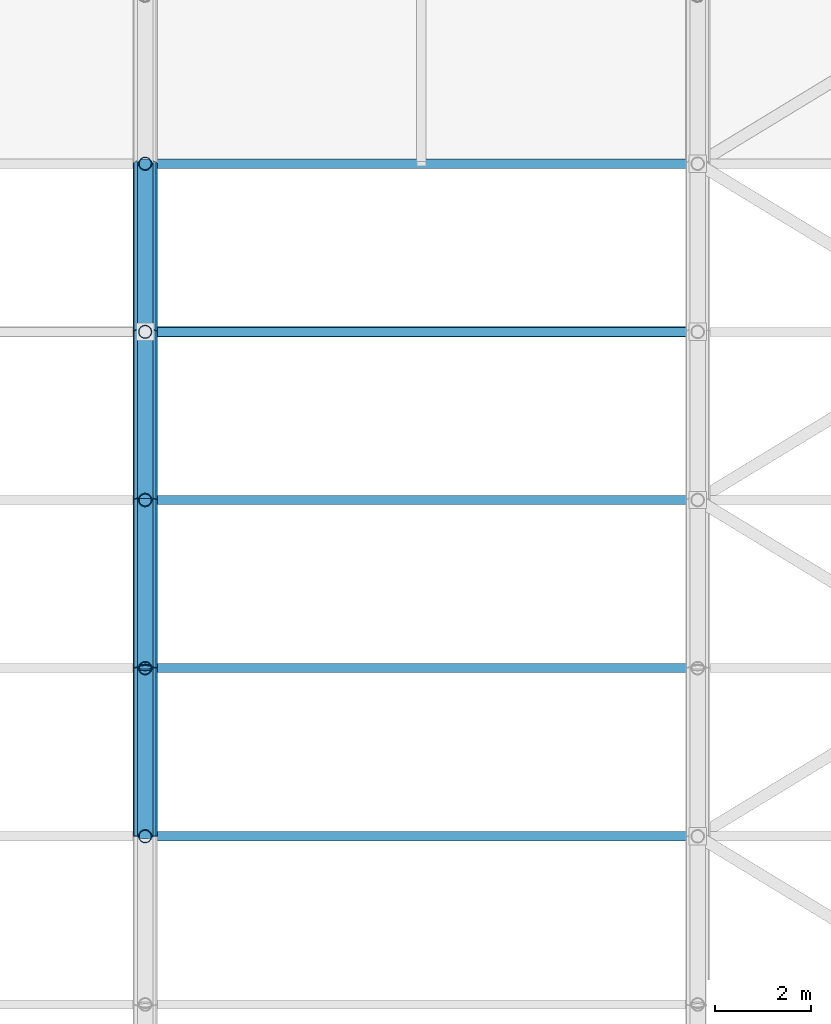
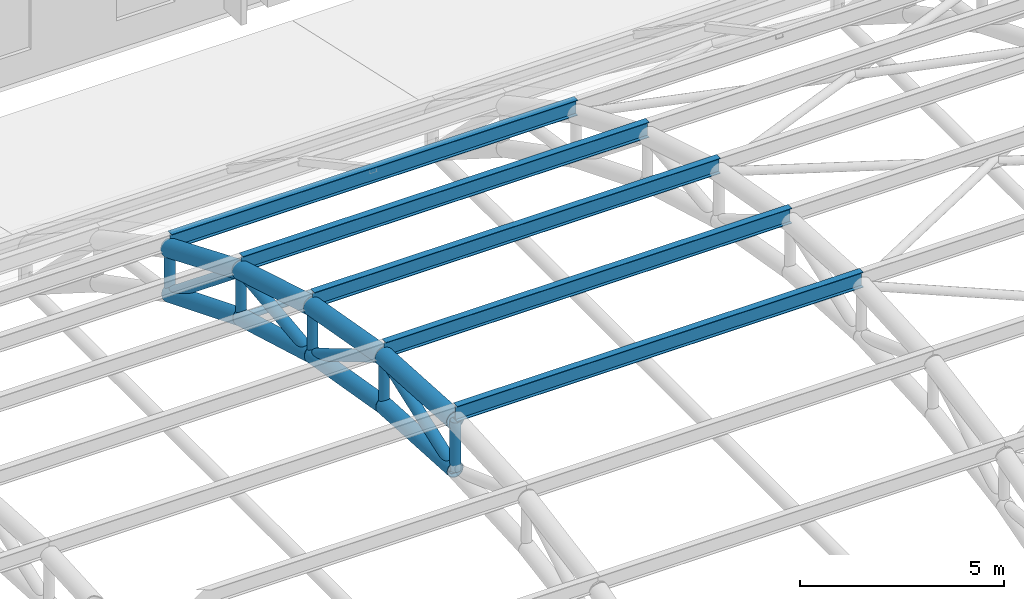
# One storey, part 102 of 154: 23 members.
"""IFC4 building model written with IfcOpenShell, lengths in metres."""

from ifc_helpers import new_model, si_unit, direction, frame, origin, origin_2d, place, context, subcontext, project, spatial, hollow_circle, i_section, extrude, material, material_profile, profile_set, type_object, element, save


model = new_model("IFC4")

# Units and contexts
model_context = context("Model", 3, precision=1e-05, world=origin(), true_north=direction((0.0, 1.0)))
body_context = subcontext(model_context, "Body", "Model", "MODEL_VIEW")
ifc_project = project(units=[si_unit("LENGTHUNIT", "METRE"), si_unit("AREAUNIT", "SQUARE_METRE"), si_unit("VOLUMEUNIT", "CUBIC_METRE"), si_unit("PLANEANGLEUNIT", "RADIAN"), si_unit("MASSUNIT", "GRAM", prefix="KILO")], contexts=[model_context])

# Site, building, storey
site_placement = place(None, origin())
site = spatial("IfcSite", under=ifc_project, at=site_placement, CompositionType="ELEMENT")
building_placement = place(site_placement, origin())
building = spatial("IfcBuilding", under=site, at=building_placement, Name="Ologun Quay Terminus", CompositionType="ELEMENT")
storey_placement = place(building_placement, frame((0.0, 0.0, 13.800048828125)))
storey = spatial("IfcBuildingStorey", under=building, at=storey_placement, Name="L03", CompositionType="ELEMENT", Elevation=13.800048828125)

# Members
ifc_material_1 = material(Name="Steel S355", Category="steel")
ifc_material_profile_1 = material_profile(ifc_material_1, hollow_circle(Radius=0.136474609375, WallThickness=0.010009765625, at=origin_2d()), Name="CHS 273x10")
ifc_profile_set_1 = profile_set([ifc_material_profile_1], Name="Steel S355")
member_type_1 = type_object("IfcMemberType", Name="Arch Truss Vertical Post CHS273", PredefinedType="STRUT", material=ifc_profile_set_1)
member_1_placement = place(storey_placement, frame((149.5, 57.0, 7.239990234375), z_axis=(0.0, 0.0, 1.0), x_axis=(1.0, 0.0, 0.0)))
element("IfcMember", 1, at=member_1_placement, inside=storey, type_object=member_type_1, Name="AW2 Arch Web Post 14-N6", PredefinedType="STRUT", context=body_context, shape_type="SweptSolid", body=[
    extrude(hollow_circle(Radius=0.136474609375, WallThickness=0.010009765625, at=origin_2d()), origin(), (0.0, 0.0, 1.0), 1.47998046875),
])
member_2_placement = place(storey_placement, frame((149.5, 60.5, 7.038818359375), z_axis=(0.0, 0.0, 1.0), x_axis=(1.0, 0.0, 0.0)))
element("IfcMember", 2, at=member_2_placement, inside=storey, type_object=member_type_1, Name="AW2 Arch Web Post 14-N7", PredefinedType="STRUT", context=body_context, shape_type="SweptSolid", body=[
    extrude(hollow_circle(Radius=0.136474609375, WallThickness=0.010009765625, at=origin_2d()), origin(), (0.0, 0.0, 1.0), 1.47216796875),
])
member_3_placement = place(storey_placement, frame((149.5, 64.0, 6.435546875), z_axis=(0.0, 0.0, 1.0), x_axis=(1.0, 0.0, 0.0)))
element("IfcMember", 3, at=member_3_placement, inside=storey, type_object=member_type_1, Name="AW2 Arch Web Post 14-N8", PredefinedType="STRUT", context=body_context, shape_type="SweptSolid", body=[
    extrude(hollow_circle(Radius=0.136474609375, WallThickness=0.010009765625, at=origin_2d()), origin(), (0.0, 0.0, 1.0), 1.44873046875),
])
member_4_placement = place(storey_placement, frame((149.5, 67.5, 5.429931640625), z_axis=(0.0, 0.0, 1.0), x_axis=(1.0, 0.0, 0.0)))
element("IfcMember", 4, at=member_4_placement, inside=storey, type_object=member_type_1, Name="AW2 Arch Web Post 14-N9", PredefinedType="STRUT", context=body_context, shape_type="SweptSolid", body=[
    extrude(hollow_circle(Radius=0.136474609375, WallThickness=0.010009765625, at=origin_2d()), origin(), (0.0, 0.0, 1.0), 1.409912109375),
])
member_5_placement = place(storey_placement, frame((149.5, 71.0, 4.022216796875), z_axis=(0.0, 0.0, 1.0), x_axis=(1.0, 0.0, 0.0)))
element("IfcMember", 5, at=member_5_placement, inside=storey, type_object=member_type_1, Name="AW2 Arch Web Post 14-N10", PredefinedType="STRUT", context=body_context, shape_type="SweptSolid", body=[
    extrude(hollow_circle(Radius=0.136474609375, WallThickness=0.010009765625, at=origin_2d()), origin(), (0.0, 0.0, 1.0), 1.35546875),
])
ifc_material_2 = material(Name="Steel S355", Category="steel")
ifc_material_profile_2 = material_profile(ifc_material_2, hollow_circle(Radius=0.161865234375, WallThickness=0.010009765625, at=origin_2d()), Name="CHS 323.9x10")
ifc_profile_set_2 = profile_set([ifc_material_profile_2], Name="Steel S355")
member_type_2 = type_object("IfcMemberType", Name="Arch Truss Web Diagonal CHS323", PredefinedType="BRACE", material=ifc_profile_set_2)
member_6_placement = place(storey_placement, frame((149.5, 57.0, 7.239990234375), z_axis=(0.0, 0.939942650142, 0.34133241048), x_axis=(-1.0, 0.0, 0.0)))
element("IfcMember", 6, at=member_6_placement, inside=storey, type_object=member_type_2, Name="AW1 Arch Web Diagonal 14-P7", PredefinedType="BRACE", context=body_context, shape_type="SweptSolid", body=[
    extrude(hollow_circle(Radius=0.161865234375, WallThickness=0.010009765625, at=origin_2d()), origin(), (0.0, 0.0, 1.0), 3.7236328125),
])
member_7_placement = place(storey_placement, frame((149.5, 60.5, 8.510986328125), z_axis=(0.0, 0.860144332958, -0.510050709715), x_axis=(-1.0, 0.0, 0.0)))
element("IfcMember", 7, at=member_7_placement, inside=storey, type_object=member_type_2, Name="AW1 Arch Web Diagonal 14-P8", PredefinedType="BRACE", context=body_context, shape_type="SweptSolid", body=[
    extrude(hollow_circle(Radius=0.161865234375, WallThickness=0.010009765625, at=origin_2d()), origin(), (0.0, 0.0, 1.0), 4.069091796875),
])
member_8_placement = place(storey_placement, frame((149.5, 64.0, 6.435546875), z_axis=(0.0, 0.993394361, 0.114750353084), x_axis=(-1.0, 0.0, 0.0)))
element("IfcMember", 8, at=member_8_placement, inside=storey, type_object=member_type_2, Name="AW1 Arch Web Diagonal 14-P9", PredefinedType="BRACE", context=body_context, shape_type="SweptSolid", body=[
    extrude(hollow_circle(Radius=0.161865234375, WallThickness=0.010009765625, at=origin_2d()), origin(), (0.0, 0.0, 1.0), 3.523193359375),
])
member_9_placement = place(storey_placement, frame((149.5, 67.5, 6.83984375), z_axis=(0.0, 0.77895148125, -0.627084196785), x_axis=(-1.0, 0.0, 0.0)))
element("IfcMember", 9, at=member_9_placement, inside=storey, type_object=member_type_2, Name="AW1 Arch Web Diagonal 14-P10", PredefinedType="BRACE", context=body_context, shape_type="SweptSolid", body=[
    extrude(hollow_circle(Radius=0.161865234375, WallThickness=0.010009765625, at=origin_2d()), origin(), (0.0, 0.0, 1.0), 4.4931640625),
])
ifc_material_3 = material(Name="Steel S355", Category="steel")
ifc_material_profile_3 = material_profile(ifc_material_3, hollow_circle(Radius=0.228515625, WallThickness=0.01611328125, at=origin_2d()), Name="CHS 457x16")
ifc_profile_set_3 = profile_set([ifc_material_profile_3], Name="Steel S355")
member_type_3 = type_object("IfcMemberType", Name="Parabolic Arch Bottom Chord CHS457", PredefinedType="CHORD", material=ifc_profile_set_3)
member_10_placement = place(storey_placement, frame((149.5, 57.0, 7.239990234375), z_axis=(0.0, 0.998352239869, -0.057382969144), x_axis=(-1.0, 0.0, 0.0)))
element("IfcMember", 10, at=member_10_placement, inside=storey, type_object=member_type_3, Name="AC2 Arch Bottom Chord 14-P7", PredefinedType="CHORD", context=body_context, shape_type="SweptSolid", body=[
    extrude(hollow_circle(Radius=0.228515625, WallThickness=0.01611328125, at=origin_2d()), origin(), (0.0, 0.0, 1.0), 3.505859375),
])
member_11_placement = place(storey_placement, frame((149.5, 60.5, 7.038818359375), z_axis=(0.0, 0.985468449185, -0.16985857547), x_axis=(-1.0, 0.0, 0.0)))
element("IfcMember", 11, at=member_11_placement, inside=storey, type_object=member_type_3, Name="AC2 Arch Bottom Chord 14-P8", PredefinedType="CHORD", context=body_context, shape_type="SweptSolid", body=[
    extrude(hollow_circle(Radius=0.228515625, WallThickness=0.01611328125, at=origin_2d()), origin(), (0.0, 0.0, 1.0), 3.551513671875),
])
member_12_placement = place(storey_placement, frame((149.5, 64.0, 6.435546875), z_axis=(0.0, 0.961115578425, -0.276146419331), x_axis=(-1.0, 0.0, 0.0)))
element("IfcMember", 12, at=member_12_placement, inside=storey, type_object=member_type_3, Name="AC2 Arch Bottom Chord 14-P9", PredefinedType="CHORD", context=body_context, shape_type="SweptSolid", body=[
    extrude(hollow_circle(Radius=0.228515625, WallThickness=0.01611328125, at=origin_2d()), origin(), (0.0, 0.0, 1.0), 3.6416015625),
])
member_13_placement = place(storey_placement, frame((149.5, 67.5, 5.429931640625), z_axis=(0.0, 0.92776983497, -0.373152962363), x_axis=(-1.0, 0.0, 0.0)))
element("IfcMember", 13, at=member_13_placement, inside=storey, type_object=member_type_3, Name="AC2 Arch Bottom Chord 14-P10", PredefinedType="CHORD", context=body_context, shape_type="SweptSolid", body=[
    extrude(hollow_circle(Radius=0.228515625, WallThickness=0.01611328125, at=origin_2d()), origin(), (0.0, 0.0, 1.0), 3.7724609375),
])
ifc_material_4 = material(Name="Steel S355", Category="steel")
ifc_material_profile_4 = material_profile(ifc_material_4, hollow_circle(Radius=0.25390625, WallThickness=0.01611328125, at=origin_2d()), Name="CHS 508x16")
ifc_profile_set_4 = profile_set([ifc_material_profile_4], Name="Steel S355")
member_type_4 = type_object("IfcMemberType", Name="Parabolic Arch Top Chord CHS508", PredefinedType="CHORD", material=ifc_profile_set_4)
member_14_placement = place(storey_placement, frame((149.5, 57.0, 8.719970703125), z_axis=(0.0, 0.998222121157, -0.0596036646), x_axis=(-1.0, 0.0, 0.0)))
element("IfcMember", 14, at=member_14_placement, inside=storey, type_object=member_type_4, Name="Arch Top Chord 14-P7", PredefinedType="CHORD", context=body_context, shape_type="SweptSolid", body=[
    extrude(hollow_circle(Radius=0.25390625, WallThickness=0.01611328125, at=origin_2d()), origin(), (0.0, 0.0, 1.0), 3.50634765625),
])
member_15_placement = place(storey_placement, frame((149.5, 60.5, 8.510986328125), z_axis=(0.0, 0.984344289591, -0.176256402859), x_axis=(-1.0, 0.0, 0.0)))
element("IfcMember", 15, at=member_15_placement, inside=storey, type_object=member_type_4, Name="Arch Top Chord 14-P8", PredefinedType="CHORD", context=body_context, shape_type="SweptSolid", body=[
    extrude(hollow_circle(Radius=0.25390625, WallThickness=0.01611328125, at=origin_2d()), origin(), (0.0, 0.0, 1.0), 3.5556640625),
])
member_16_placement = place(storey_placement, frame((149.5, 64.0, 7.88427734375), z_axis=(0.0, 0.958244712677, -0.285949419701), x_axis=(-1.0, 0.0, 0.0)))
element("IfcMember", 16, at=member_16_placement, inside=storey, type_object=member_type_4, Name="Arch Top Chord 14-P9", PredefinedType="CHORD", context=body_context, shape_type="SweptSolid", body=[
    extrude(hollow_circle(Radius=0.25390625, WallThickness=0.01611328125, at=origin_2d()), origin(), (0.0, 0.0, 1.0), 3.652587890625),
])
member_17_placement = place(storey_placement, frame((149.5, 67.5, 6.83984375), z_axis=(0.0, 0.922718523726, -0.385474416755), x_axis=(-1.0, 0.0, 0.0)))
element("IfcMember", 17, at=member_17_placement, inside=storey, type_object=member_type_4, Name="Arch Top Chord 14-P10", PredefinedType="CHORD", context=body_context, shape_type="SweptSolid", body=[
    extrude(hollow_circle(Radius=0.25390625, WallThickness=0.01611328125, at=origin_2d()), origin(), (0.0, 0.0, 1.0), 3.793212890625),
])
ifc_material_5 = material(Name="Steel S355", Category="steel")
ifc_material_profile_5 = material_profile(ifc_material_5, hollow_circle(Radius=0.109619140625, WallThickness=0.008056640625, at=origin_2d()), Name="CHS 219.1x8")
ifc_profile_set_5 = profile_set([ifc_material_profile_5], Name="Steel S355")
member_type_5 = type_object("IfcMemberType", Name="Roof Plan Wind Brace Collector CHS219", PredefinedType="STRUT", material=ifc_profile_set_5)
member_18_placement = place(storey_placement, frame((149.5, 67.5, 5.429931640625), z_axis=(1.0, 0.0, 0.0), x_axis=(0.0, 1.0, 0.0)))
element("IfcMember", 18, at=member_18_placement, inside=storey, type_object=member_type_5, Name="WB2 Collector Strut B14-K9", PredefinedType="STRUT", context=body_context, shape_type="SweptSolid", body=[
    extrude(hollow_circle(Radius=0.109619140625, WallThickness=0.008056640625, at=origin_2d()), origin(), (0.0, 0.0, 1.0), 11.5),
])
ifc_material_6 = material(Name="Steel S355", Category="steel")
ifc_material_profile_6 = material_profile(ifc_material_6, i_section(OverallWidth=0.1904296875, OverallDepth=0.45703125, WebThickness=0.009033203125, FlangeThickness=0.014404296875, at=origin_2d()), Name="UKB 457x191x74")
ifc_profile_set_6 = profile_set([ifc_material_profile_6], Name="Steel S355")
member_type_6 = type_object("IfcMemberType", Name="Train Shed Primary Roof Purlin UKB457", PredefinedType="PURLIN", material=ifc_profile_set_6)
for number, where, z_axis, x_axis, name in (
    (19, (149.5, 57.0, 8.948486328125), (1.0, 0.0, 0.0), (0.0, 1.0, 0.0), "PR1 Roof Purlin B14-N6"),
    (20, (149.5, 60.5, 8.739501953125), (1.0, 0.0, 0.0), (0.0, 1.0, 0.0), "PR1 Roof Purlin B14-N7"),
    (21, (149.5, 64.0, 8.11279296875), (1.0, 0.0, 0.0), (0.0, 1.0, 0.0), "PR1 Roof Purlin B14-N8"),
    (22, (149.5, 67.5, 7.068359375), (1.0, 0.0, 0.0), (0.0, 1.0, 0.0), "PR1 Roof Purlin B14-N9"),
    (23, (149.5, 71.0, 5.606201171875), (1.0, 0.0, 0.0), (0.0, 1.0, 0.0), "PR1 Roof Purlin B14-N10"),
):
    element("IfcMember", number, at=place(storey_placement, frame(where, z_axis=z_axis, x_axis=x_axis)), inside=storey, type_object=member_type_6, Name=name, PredefinedType="PURLIN", context=body_context, shape_type="SweptSolid", body=[
        extrude(i_section(OverallWidth=0.1904296875, OverallDepth=0.45703125, WebThickness=0.009033203125, FlangeThickness=0.014404296875, at=origin_2d()), origin(), (0.0, 0.0, 1.0), 11.5),
    ])

save(model, "model.ifc")
